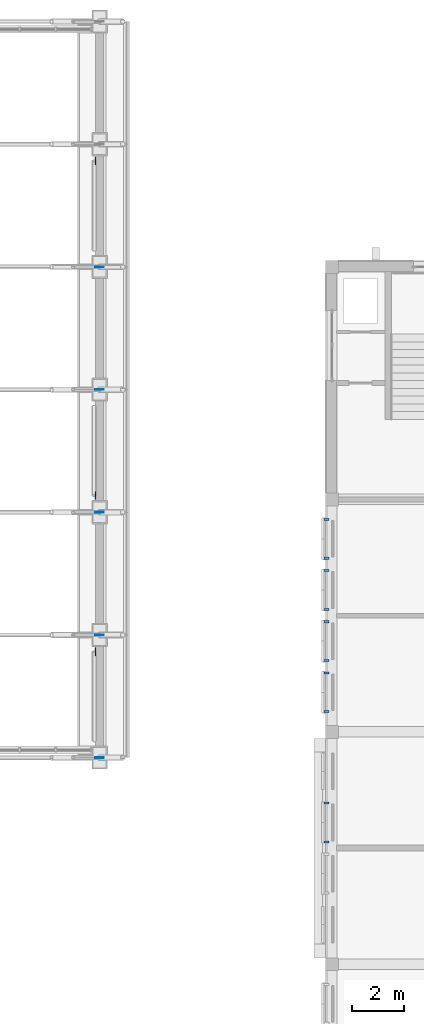
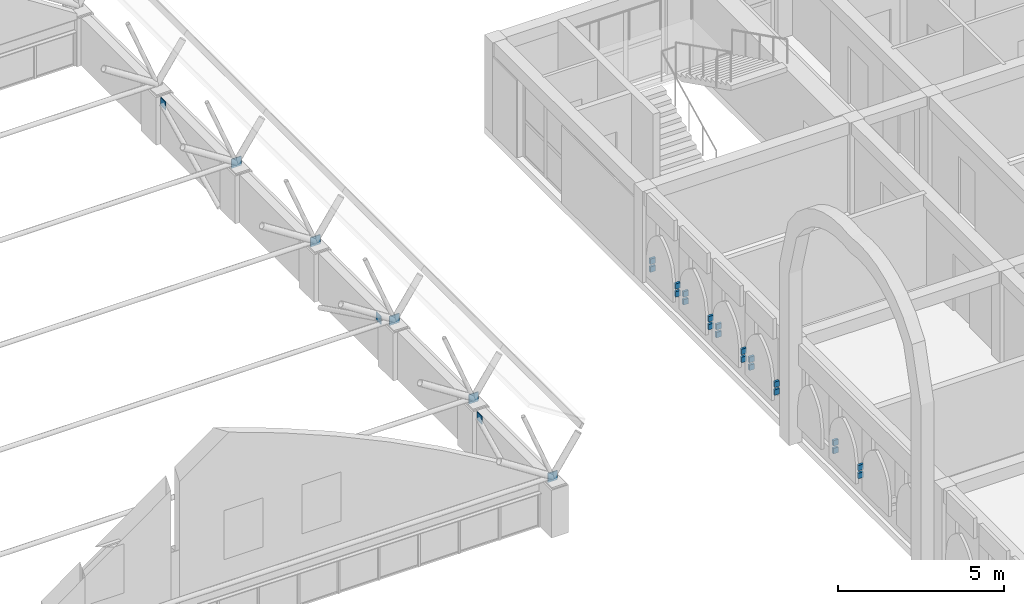
# One storey, part 48 of 65: 28 discrete accessories.
"""IFC4 building model written with IfcOpenShell, lengths in metres."""

from ifc_helpers import new_model, si_unit, direction, frame, origin, origin_2d, place, context, subcontext, project, spatial, rectangle, extrude, material, layer, layer_set, type_object, element, save


model = new_model("IFC4")

# Units and contexts
model_context = context("Model", 3, precision=1e-05, world=origin(), true_north=direction((0.0, 1.0)))
body_context = subcontext(model_context, "Body", "Model", "MODEL_VIEW")
ifc_project = project(units=[si_unit("LENGTHUNIT", "METRE"), si_unit("AREAUNIT", "SQUARE_METRE"), si_unit("VOLUMEUNIT", "CUBIC_METRE"), si_unit("PLANEANGLEUNIT", "RADIAN"), si_unit("MASSUNIT", "GRAM", prefix="KILO")], contexts=[model_context])

# Site, building, storey
site_placement = place(None, origin())
site = spatial("IfcSite", under=ifc_project, at=site_placement, CompositionType="ELEMENT")
building_placement = place(site_placement, origin())
building = spatial("IfcBuilding", under=site, at=building_placement, Name="Elbe Cascade School", CompositionType="ELEMENT")
storey_placement = place(building_placement, frame((0.0, 0.0, 11.699951171875)))
storey = spatial("IfcBuildingStorey", under=building, at=storey_placement, Name="L03", CompositionType="ELEMENT", Elevation=11.699951171875)

# Discrete accessories
ifc_material_1 = material(Name="Steel S355J2, hot-dip galvanised", Category="steel")
discrete_accessory_type_1 = type_object("IfcDiscreteAccessoryType", Name="Bars envelope Bracket, galvanised steel", PredefinedType="BRACKET", material=ifc_material_1)
for number, where, z_axis, x_axis, name in (
    (1, (68.7900390625, 37.739990234375, 0.75), (0.0, 0.0, 1.0), (0.0, 1.0, 0.0), "Bracket AC7 jali.w.4.br3ll"),
    (2, (68.7900390625, 37.739990234375, 1.0400390625), (0.0, 0.0, 1.0), (0.0, 1.0, 0.0), "Bracket AC7 jali.w.4.br3lu"),
    (3, (68.7900390625, 39.239990234375, 0.75), (0.0, 0.0, 1.0), (0.0, 1.0, 0.0), "Bracket AC7 jali.w.4.br3rl"),
    (4, (68.7900390625, 39.239990234375, 1.0400390625), (0.0, 0.0, 1.0), (0.0, 1.0, 0.0), "Bracket AC7 jali.w.4.br3ru"),
    (5, (68.7900390625, 42.780029296875, 0.75), (0.0, 0.0, 1.0), (0.0, 1.0, 0.0), "Bracket AC7 jali.w.5.br1ll"),
    (6, (68.7900390625, 42.780029296875, 1.0400390625), (0.0, 0.0, 1.0), (0.0, 1.0, 0.0), "Bracket AC7 jali.w.5.br1lu"),
    (7, (68.7900390625, 44.280029296875, 0.75), (0.0, 0.0, 1.0), (0.0, 1.0, 0.0), "Bracket AC7 jali.w.5.br1rl"),
    (8, (68.7900390625, 44.280029296875, 1.0400390625), (0.0, 0.0, 1.0), (0.0, 1.0, 0.0), "Bracket AC7 jali.w.5.br1ru"),
    (9, (68.7900390625, 44.760009765625, 0.75), (0.0, 0.0, 1.0), (0.0, 1.0, 0.0), "Bracket AC7 jali.w.5.br2ll"),
    (10, (68.7900390625, 44.760009765625, 1.0400390625), (0.0, 0.0, 1.0), (0.0, 1.0, 0.0), "Bracket AC7 jali.w.5.br2lu"),
    (11, (68.7900390625, 46.260009765625, 0.75), (0.0, 0.0, 1.0), (0.0, 1.0, 0.0), "Bracket AC7 jali.w.5.br2rl"),
    (12, (68.7900390625, 46.260009765625, 1.0400390625), (0.0, 0.0, 1.0), (0.0, 1.0, 0.0), "Bracket AC7 jali.w.5.br2ru"),
    (13, (68.7900390625, 46.739990234375, 0.75), (0.0, 0.0, 1.0), (0.0, 1.0, 0.0), "Bracket AC7 jali.w.5.br3ll"),
    (14, (68.7900390625, 46.739990234375, 1.0400390625), (0.0, 0.0, 1.0), (0.0, 1.0, 0.0), "Bracket AC7 jali.w.5.br3lu"),
    (15, (68.7900390625, 48.239990234375, 0.75), (0.0, 0.0, 1.0), (0.0, 1.0, 0.0), "Bracket AC7 jali.w.5.br3rl"),
    (16, (68.7900390625, 48.239990234375, 1.0400390625), (0.0, 0.0, 1.0), (0.0, 1.0, 0.0), "Bracket AC7 jali.w.5.br3ru"),
    (17, (68.7900390625, 48.719970703125, 0.75), (0.0, 0.0, 1.0), (0.0, 1.0, 0.0), "Bracket AC7 jali.w.5.br4ll"),
    (18, (68.7900390625, 48.719970703125, 1.0400390625), (0.0, 0.0, 1.0), (0.0, 1.0, 0.0), "Bracket AC7 jali.w.5.br4lu"),
    (19, (68.7900390625, 50.219970703125, 0.75), (0.0, 0.0, 1.0), (0.0, 1.0, 0.0), "Bracket AC7 jali.w.5.br4rl"),
    (20, (68.7900390625, 50.219970703125, 1.0400390625), (0.0, 0.0, 1.0), (0.0, 1.0, 0.0), "Bracket AC7 jali.w.5.br4ru"),
):
    element("IfcDiscreteAccessory", number, at=place(storey_placement, frame(where, z_axis=z_axis, x_axis=x_axis)), inside=storey, type_object=discrete_accessory_type_1, Name=name, PredefinedType="BRACKET", context=body_context, shape_type="SweptSolid", body=[
        extrude(rectangle(XDim=0.080078125, YDim=0.179931640625, at=origin_2d()), origin(), (0.0, 0.0, 1.0), 0.199951171875),
    ])
ifc_material_2 = material(Name="Steel S355J2", Category="steel")
ifc_layer_1 = layer(ifc_material_2, 0.030029296875)
ifc_layer_set_1 = layer_set([ifc_layer_1], Name="Steel S355J2")
discrete_accessory_type_2 = type_object("IfcDiscreteAccessoryType", Name="Truss node connection", PredefinedType="BRACKET", material=ifc_layer_set_1)
for number, where, z_axis, x_axis, name in (
    (21, (60.0, 41.0, 1.72216796875), (0.0, 0.0, 1.0), (1.0, 0.0, 0.0), "Truss node connection AC1"),
    (22, (60.0, 45.75, 1.72216796875), (0.0, 0.0, 1.0), (1.0, 0.0, 0.0), "Truss node connection AC1"),
    (23, (60.0, 50.5, 1.72216796875), (0.0, 0.0, 1.0), (1.0, 0.0, 0.0), "Truss node connection AC1"),
    (24, (60.0, 55.25, 1.72216796875), (0.0, 0.0, 1.0), (1.0, 0.0, 0.0), "Truss node connection AC1"),
    (25, (60.0, 60.0, 1.72216796875), (0.0, 0.0, 1.0), (1.0, 0.0, 0.0), "Truss node connection AC1"),
):
    element("IfcDiscreteAccessory", number, at=place(storey_placement, frame(where, z_axis=z_axis, x_axis=x_axis)), inside=storey, type_object=discrete_accessory_type_2, Name=name, PredefinedType="BRACKET", context=body_context, shape_type="SweptSolid", body=[
        extrude(rectangle(XDim=0.340087890625, YDim=0.030029296875, at=origin_2d()), origin(), (0.0, 0.0, 1.0), 0.340087890625),
    ])
ifc_material_3 = material(Name="Steel S355J2", Category="steel")
ifc_layer_2 = layer(ifc_material_3, 0.02001953125)
ifc_layer_set_2 = layer_set([ifc_layer_2], Name="Steel S355J2")
discrete_accessory_type_3 = type_object("IfcDiscreteAccessoryType", Name="Wall brace end plate", PredefinedType="BRACKET", material=ifc_layer_set_2)
for number, where, z_axis, x_axis, name in (
    (26, (59.840087890625, 45.10009765625, 1.4501953125), (0.0, 0.0, 1.0), (1.0, 0.0, 0.0), "Wall brace end plate AC3"),
    (27, (59.840087890625, 51.14990234375, 1.4501953125), (0.0, 0.0, 1.0), (1.0, 0.0, 0.0), "Wall brace end plate AC3"),
    (28, (59.840087890625, 64.10009765625, 1.4501953125), (0.0, 0.0, 1.0), (1.0, 0.0, 0.0), "Wall brace end plate AC3"),
):
    element("IfcDiscreteAccessory", number, at=place(storey_placement, frame(where, z_axis=z_axis, x_axis=x_axis)), inside=storey, type_object=discrete_accessory_type_3, Name=name, PredefinedType="BRACKET", context=body_context, shape_type="SweptSolid", body=[
        extrude(rectangle(XDim=0.02001953125, YDim=0.300048828125, at=origin_2d()), origin(), (0.0, 0.0, 1.0), 0.300048828125),
    ])

save(model, "model.ifc")
